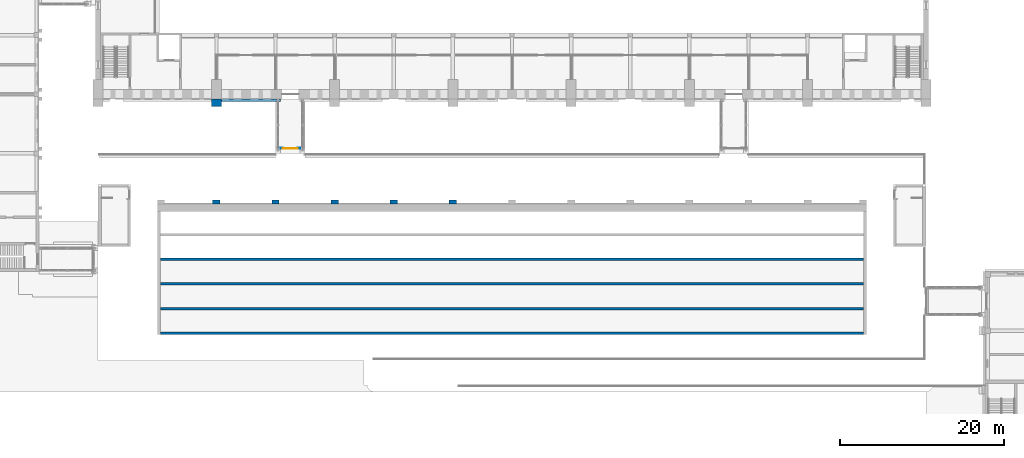
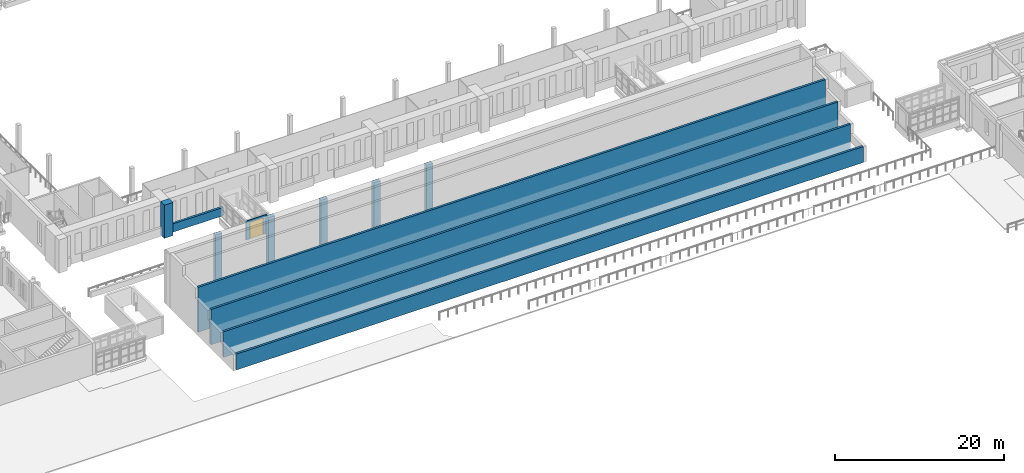
# One storey, part 78 of 131: 12 walls, 1 door, 1 opening.
"""IFC4 building model written with IfcOpenShell, lengths in metres."""

from ifc_helpers import new_model, si_unit, direction, frame, frame_2d, origin, place, context, subcontext, project, spatial, rectangle, extrude, material, layer, layer_set, type_object, element, fill, save


model = new_model("IFC4")

# Units and contexts
model_context = context("Model", 3, precision=1e-05, world=origin(), true_north=direction((0.0, 1.0)))
body_context = subcontext(model_context, "Body", "Model", "MODEL_VIEW")
ifc_project = project(units=[si_unit("LENGTHUNIT", "METRE"), si_unit("AREAUNIT", "SQUARE_METRE"), si_unit("VOLUMEUNIT", "CUBIC_METRE"), si_unit("PLANEANGLEUNIT", "RADIAN"), si_unit("MASSUNIT", "GRAM", prefix="KILO")], contexts=[model_context])

# Site, building, storey
site_placement = place(None, origin())
site = spatial("IfcSite", under=ifc_project, at=site_placement, CompositionType="ELEMENT")
building_placement = place(site_placement, origin())
building = spatial("IfcBuilding", under=site, at=building_placement, Name="Alderwick Market Hall", CompositionType="ELEMENT")
storey_placement = place(building_placement, frame((0.0, 0.0, 4.800048828125)))
storey = spatial("IfcBuildingStorey", under=building, at=storey_placement, Name="L00", CompositionType="ELEMENT", Elevation=4.800048828125)

# Walls
ifc_material_1 = material(Name="Concrete 5000 psi (f'c 35 MPa)", Category="concrete")
ifc_layer_1 = layer(ifc_material_1, 0.89990234375)
ifc_layer_set_1 = layer_set([ifc_layer_1], Name="Concrete 5000 psi (f'c 35 MPa)")
wall_type_1 = type_object("IfcWallType", Name="A RC Bank Buttress 900", PredefinedType="SOLIDWALL", material=ifc_layer_set_1)
for number, where, z_axis, x_axis, name in (
    (1, (64.800048828125, 37.050048828125, 0.0), (0.0, 0.0, 1.0), (0.0, 1.0, 0.0), "Bank buttress"),
    (2, (72.0, 37.050048828125, 0.0), (0.0, 0.0, 1.0), (0.0, 1.0, 0.0), "Bank buttress"),
    (3, (79.199951171875, 37.050048828125, 0.0), (0.0, 0.0, 1.0), (0.0, 1.0, 0.0), "Bank buttress"),
    (4, (86.39990234375, 37.050048828125, 0.0), (0.0, 0.0, 1.0), (0.0, 1.0, 0.0), "Bank buttress"),
    (5, (93.60009765625, 37.050048828125, 0.0), (0.0, 0.0, 1.0), (0.0, 1.0, 0.0), "Bank buttress"),
):
    element("IfcWall", number, at=place(storey_placement, frame(where, z_axis=z_axis, x_axis=x_axis)), inside=storey, type_object=wall_type_1, Name=name, PredefinedType="SOLIDWALL", context=body_context, shape_type="SweptSolid", body=[
        extrude(rectangle(XDim=0.5, YDim=0.89990234375, at=frame_2d((0.25, 0.0))), origin(), (0.0, 0.0, 1.0), 7.599853515625),
    ])
ifc_layer_2 = layer(ifc_material_1, 0.300048828125)
ifc_layer_set_2 = layer_set([ifc_layer_2], Name="Concrete 5000 psi (f'c 35 MPa)")
wall_type_2 = type_object("IfcWallType", Name="A RC Terrace Parapet Wall 300", PredefinedType="SOLIDWALL", material=ifc_layer_set_2)
wall_1_placement = place(storey_placement, frame((58.0, 30.300048828125, 0.0), z_axis=(0.0, 0.0, 1.0), x_axis=(1.0, 0.0, 0.0)))
element("IfcWall", 6, at=wall_1_placement, inside=storey, type_object=wall_type_2, Name="Terrace parapet wall 2", PredefinedType="SOLIDWALL", context=body_context, shape_type="SweptSolid", body=[
    extrude(rectangle(XDim=85.60009765625, YDim=0.300048828125, at=frame_2d((42.800048828125, 0.0))), origin(), (0.0, 0.0, 1.0), 6.5),
])
wall_2_placement = place(storey_placement, frame((58.0, 27.300048828125, 0.0), z_axis=(0.0, 0.0, 1.0), x_axis=(1.0, 0.0, 0.0)))
element("IfcWall", 7, at=wall_2_placement, inside=storey, type_object=wall_type_2, Name="Terrace parapet wall 3", PredefinedType="SOLIDWALL", context=body_context, shape_type="SweptSolid", body=[
    extrude(rectangle(XDim=85.60009765625, YDim=0.300048828125, at=frame_2d((42.800048828125, 0.0))), origin(), (0.0, 0.0, 1.0), 5.099853515625),
])
wall_3_placement = place(storey_placement, frame((58.0, 24.300048828125, 0.0), z_axis=(0.0, 0.0, 1.0), x_axis=(1.0, 0.0, 0.0)))
element("IfcWall", 8, at=wall_3_placement, inside=storey, type_object=wall_type_2, Name="Terrace parapet wall 4", PredefinedType="SOLIDWALL", context=body_context, shape_type="SweptSolid", body=[
    extrude(rectangle(XDim=85.60009765625, YDim=0.300048828125, at=frame_2d((42.800048828125, 0.0))), origin(), (0.0, 0.0, 1.0), 3.699951171875),
])
wall_4_placement = place(storey_placement, frame((58.0, 21.300048828125, 0.0), z_axis=(0.0, 0.0, 1.0), x_axis=(1.0, 0.0, 0.0)))
element("IfcWall", 9, at=wall_4_placement, inside=storey, type_object=wall_type_2, Name="Terrace parapet wall 5", PredefinedType="SOLIDWALL", context=body_context, shape_type="SweptSolid", body=[
    extrude(rectangle(XDim=85.60009765625, YDim=0.300048828125, at=frame_2d((42.800048828125, 0.0))), origin(), (0.0, 0.0, 1.0), 2.300048828125),
])
ifc_material_2 = material(Name="Cast stone 5000 psi (f'c 35 MPa), ASTM C1364", Category="masonry")
ifc_layer_3 = layer(ifc_material_2, 0.300048828125)
ifc_layer_set_3 = layer_set([ifc_layer_3], Name="Cast stone 5000 psi (f'c 35 MPa), ASTM C1364")
wall_type_3 = type_object("IfcWallType", Name="H Base course 300", PredefinedType="SOLIDWALL", material=ifc_layer_set_3)
wall_5_placement = place(storey_placement, frame((65.39990234375, 49.64990234375, 0.0), z_axis=(0.0, 0.0, 1.0), x_axis=(1.0, 0.0, 0.0)))
element("IfcWall", 10, at=wall_5_placement, inside=storey, type_object=wall_type_3, Name="Base course S2", PredefinedType="SOLIDWALL", context=body_context, shape_type="SweptSolid", body=[
    extrude(rectangle(XDim=7.2001953125, YDim=0.300048828125, at=frame_2d((3.60009765625, 0.0))), origin(), (0.0, 0.0, 1.0), 1.199951171875),
])
ifc_material_3 = material(Name="Face brick masonry, ASTM C216 grade SW (f'm 17 MPa)", Category="masonry")
ifc_layer_4 = layer(ifc_material_3, 0.89990234375)
ifc_layer_set_4 = layer_set([ifc_layer_4], Name="Face brick masonry, ASTM C216 grade SW (f'm 17 MPa)")
wall_type_4 = type_object("IfcWallType", Name="H Buttress pier 900", PredefinedType="SOLIDWALL", material=ifc_layer_set_4)
wall_6_placement = place(storey_placement, frame((64.199951171875, 49.35009765625, 0.0), z_axis=(0.0, 0.0, 1.0), x_axis=(1.0, 0.0, 0.0)))
element("IfcWall", 11, at=wall_6_placement, inside=storey, type_object=wall_type_4, Name="Buttress pier S2", PredefinedType="SOLIDWALL", context=body_context, shape_type="SweptSolid", body=[
    extrude(rectangle(XDim=1.199951171875, YDim=0.89990234375, at=frame_2d((0.60009765625, 0.0))), origin(), (0.0, 0.0, 1.0), 4.800048828125),
])

# Wall, opening, door
ifc_material_4 = material(Name="Aluminium frame with glazing infill", Category="aluminium")
ifc_layer_5 = layer(ifc_material_4, 0.1201171875)
ifc_layer_set_5 = layer_set([ifc_layer_5], Name="Aluminium frame with glazing infill")
wall_type_5 = type_object("IfcWallType", Name="P Glazed End Wall 120", PredefinedType="SOLIDWALL", material=ifc_layer_set_5)
wall_7_placement = place(storey_placement, frame((72.3759765625, 43.81005859375, 0.0), z_axis=(0.0, 0.0, 1.0), x_axis=(1.0, 0.0, 0.0)))
wall_7 = element("IfcWall", 12, at=wall_7_placement, inside=storey, type_object=wall_type_5, Name="P.P3.endwall.low", PredefinedType="SOLIDWALL", context=body_context, shape_type="SweptSolid", body=[
    extrude(rectangle(XDim=2.84814453125, YDim=0.1201171875, at=frame_2d((1.424072265625, 0.0))), origin(), (0.0, 0.0, 1.0), 2.7529296875),
])
opening_placement = place(wall_7_placement, frame((0.52392578125, 0.0, 0.0)))
opening = element("IfcOpeningElement", 13, at=opening_placement, cuts=wall_7, Name="Opening P-D003", PredefinedType="OPENING", context=body_context, shape_type="SweptSolid", body=[
    extrude(rectangle(XDim=1.800048828125, YDim=2.39990234375, at=frame_2d((0.89990234375, 1.199951171875))), frame((0.0, 0.070068359375, 0.0), z_axis=(0.0, -1.0, 0.0), x_axis=(1.0, 0.0, 0.0)), (0.0, 0.0, 1.0), 0.14013671875),
])
ifc_material_5 = material(Name="Aluminium frame and glass", Category="aluminium")
door_type = type_object("IfcDoorType", Name="P Glazed Double Door 1800x2400", OperationType="DOUBLE_DOOR_DOUBLE_SWING", PredefinedType="DOOR", material=ifc_material_5)
door_placement = place(opening_placement, origin())
door = element("IfcDoor", 14, at=door_placement, inside=storey, type_object=door_type, Name="Passage door onto the roof", OperationType="DOUBLE_DOOR_DOUBLE_SWING", OverallHeight=2.39990234375, OverallWidth=1.800048828125, PredefinedType="DOOR", context=body_context, shape_type="SweptSolid", body=[
    extrude(rectangle(XDim=1.800048828125, YDim=2.39990234375, at=frame_2d((0.89990234375, 1.199951171875))), frame((0.0, 0.02490234375, 0.0), z_axis=(0.0, -1.0, 0.0), x_axis=(1.0, 0.0, 0.0)), (0.0, 0.0, 1.0), 0.050048828125),
])
fill(opening, door)

save(model, "model.ifc")
